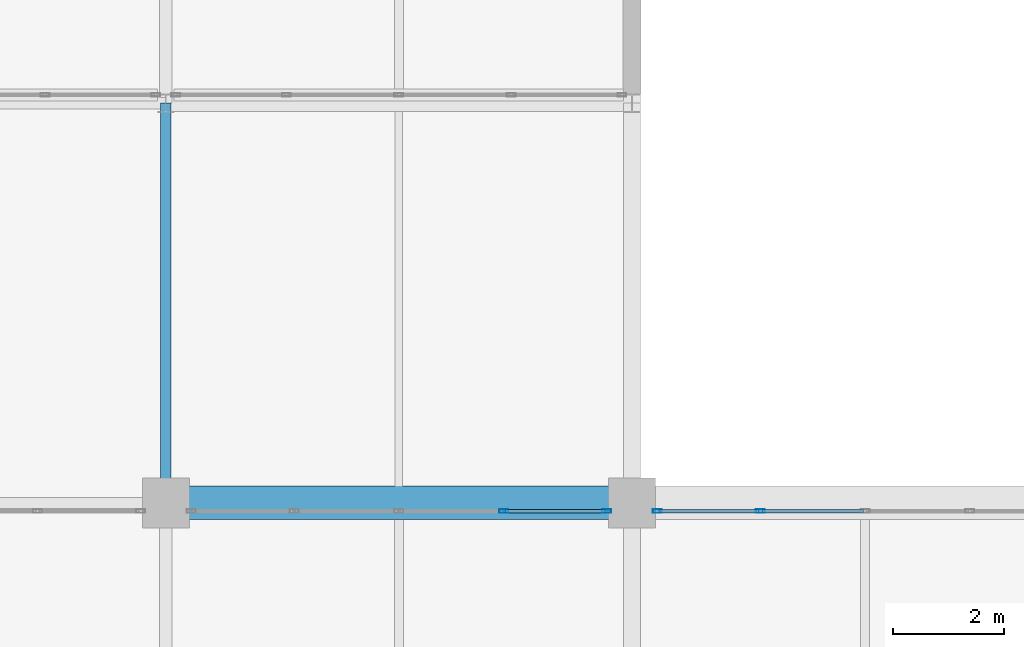
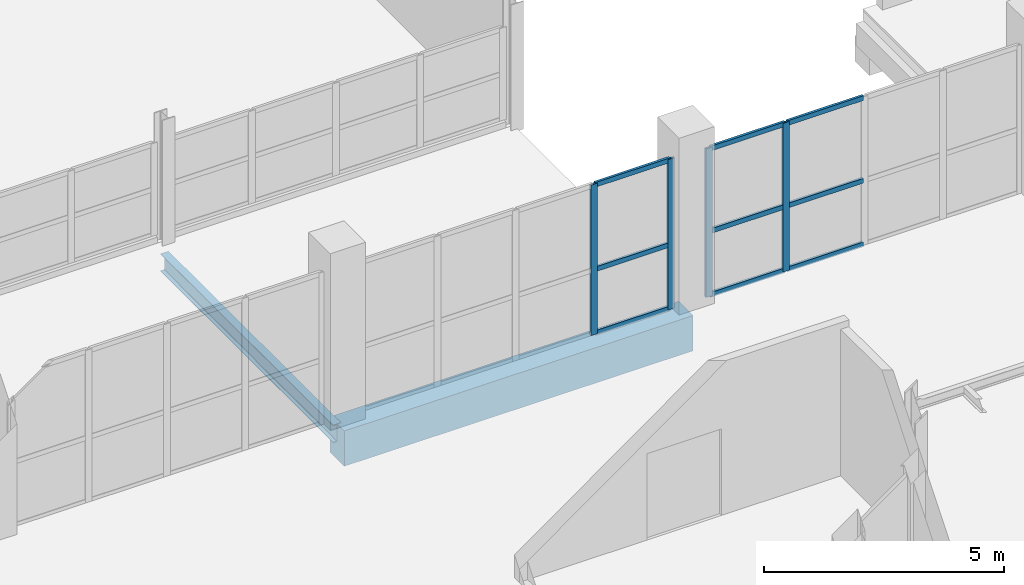
# One storey, part 41 of 103: 13 members, 2 beams, 2 elements without a shape of their own.
"""IFC4 building model written with IfcOpenShell, lengths in metres."""

from ifc_helpers import new_model, si_unit, direction, frame, origin, origin_2d, place, context, subcontext, project, spatial, rectangle, hollow_rectangle, i_section, extrude, material, material_profile, profile_set, type_object, element, aggregate, save


model = new_model("IFC4")

# Units and contexts
model_context = context("Model", 3, precision=1e-05, world=origin(), true_north=direction((0.0, 1.0)))
body_context = subcontext(model_context, "Body", "Model", "MODEL_VIEW")
ifc_project = project(units=[si_unit("LENGTHUNIT", "METRE"), si_unit("AREAUNIT", "SQUARE_METRE"), si_unit("VOLUMEUNIT", "CUBIC_METRE"), si_unit("PLANEANGLEUNIT", "RADIAN"), si_unit("MASSUNIT", "GRAM", prefix="KILO")], contexts=[model_context])

# Site, building, storey
site_placement = place(None, origin())
site = spatial("IfcSite", under=ifc_project, at=site_placement, CompositionType="ELEMENT")
building_placement = place(site_placement, origin())
building = spatial("IfcBuilding", under=site, at=building_placement, Name="Veltarok Museum of Natural Sciences", CompositionType="ELEMENT")
storey_placement = place(building_placement, frame((0.0, 0.0, 21.89990234375)))
storey = spatial("IfcBuildingStorey", under=building, at=storey_placement, Name="L04", CompositionType="ELEMENT", Elevation=21.89990234375)

# Curtain wall, members
ifc_material_1 = material(Name="Low-iron triple insulated glass", Category="glass")
curtain_wall_type_1 = type_object("IfcCurtainWallType", Name="Curtain Wall System CW-V1CN4-L04-1-755x383 (CW-V1CN4 L04 755x383cm)", PredefinedType="NOTDEFINED", material=ifc_material_1)
curtain_wall_1_placement = place(storey_placement, origin())
curtain_wall_1 = element("IfcCurtainWall", 1, at=curtain_wall_1_placement, inside=storey, type_object=curtain_wall_type_1, Name="Curtain Wall CW-V1CN4-L04-1-755x383 CW-0169", PredefinedType="NOTDEFINED")
ifc_material_2 = material(Name="Thermally broken anodised aluminium", Category="aluminium")
ifc_material_profile_1 = material_profile(ifc_material_2, hollow_rectangle(XDim=0.06005859375, YDim=0.1201171875, WallThickness=0.0048828125, at=origin_2d()), Name="CW TRANSOM 60x120x5")
ifc_profile_set_1 = profile_set([ifc_material_profile_1], Name="Thermally broken anodised aluminium")
member_type_1 = type_object("IfcMemberType", Name="Curtain Wall Horizontal Transom 60x120x5", PredefinedType="USERDEFINED", material=ifc_profile_set_1)
member_1_placement = place(storey_placement, frame((98.31494140625, 19.050048828125, 0.028076171875), z_axis=(-1.0, 0.0, 0.0), x_axis=(0.0, -1.0, 0.0)))
member_1 = element("IfcMember", 2, at=member_1_placement, type_object=member_type_1, Name="CW-V1CN4-L04-1-755x383 transom 1.1", ObjectType="TRANSOM", PredefinedType="USERDEFINED", context=body_context, shape_type="SweptSolid", body=[
    extrude(hollow_rectangle(XDim=0.06005859375, YDim=0.1201171875, WallThickness=0.0048828125, at=origin_2d()), origin(), (0.0, 0.0, 1.0), 1.79736328125),
])
member_2_placement = place(storey_placement, frame((98.31494140625, 19.050048828125, 1.648193359375), z_axis=(-1.0, 0.0, 0.0), x_axis=(0.0, -1.0, 0.0)))
member_2 = element("IfcMember", 3, at=member_2_placement, type_object=member_type_1, Name="CW-V1CN4-L04-1-755x383 transom 1.2", ObjectType="TRANSOM", PredefinedType="USERDEFINED", context=body_context, shape_type="SweptSolid", body=[
    extrude(hollow_rectangle(XDim=0.06005859375, YDim=0.1201171875, WallThickness=0.0048828125, at=origin_2d()), origin(), (0.0, 0.0, 1.0), 1.79736328125),
])
member_3_placement = place(storey_placement, frame((98.31494140625, 19.050048828125, 3.800048828125), z_axis=(-1.0, 0.0, 0.0), x_axis=(0.0, -1.0, 0.0)))
member_3 = element("IfcMember", 4, at=member_3_placement, type_object=member_type_1, Name="CW-V1CN4-L04-1-755x383 transom 1.3", ObjectType="TRANSOM", PredefinedType="USERDEFINED", context=body_context, shape_type="SweptSolid", body=[
    extrude(hollow_rectangle(XDim=0.06005859375, YDim=0.1201171875, WallThickness=0.0048828125, at=origin_2d()), origin(), (0.0, 0.0, 1.0), 1.79736328125),
])

curtain_wall_type_2 = type_object("IfcCurtainWallType", Name="Curtain Wall System CW-V1CN4-L04-2-755x378 (CW-V1CN4 L04 755x378cm)", PredefinedType="NOTDEFINED", material=ifc_material_1)
curtain_wall_2_placement = place(storey_placement, origin())
curtain_wall_2 = element("IfcCurtainWall", 5, at=curtain_wall_2_placement, inside=storey, type_object=curtain_wall_type_2, Name="Curtain Wall CW-V1CN4-L04-2-755x378 CW-0170", PredefinedType="NOTDEFINED")
member_4_placement = place(storey_placement, frame((102.969970703125, 19.050048828125, 0.028076171875), z_axis=(-1.0, 0.0, 0.0), x_axis=(0.0, -1.0, 0.0)))
member_4 = element("IfcMember", 6, at=member_4_placement, type_object=member_type_1, Name="CW-V1CN4-L04-2-755x378 transom 3.1", ObjectType="TRANSOM", PredefinedType="USERDEFINED", context=body_context, shape_type="SweptSolid", body=[
    extrude(hollow_rectangle(XDim=0.06005859375, YDim=0.1201171875, WallThickness=0.0048828125, at=origin_2d()), origin(), (0.0, 0.0, 1.0), 1.827392578125),
])
member_5_placement = place(storey_placement, frame((102.969970703125, 19.050048828125, 1.648193359375), z_axis=(-1.0, 0.0, 0.0), x_axis=(0.0, -1.0, 0.0)))
member_5 = element("IfcMember", 7, at=member_5_placement, type_object=member_type_1, Name="CW-V1CN4-L04-2-755x378 transom 3.2", ObjectType="TRANSOM", PredefinedType="USERDEFINED", context=body_context, shape_type="SweptSolid", body=[
    extrude(hollow_rectangle(XDim=0.06005859375, YDim=0.1201171875, WallThickness=0.0048828125, at=origin_2d()), origin(), (0.0, 0.0, 1.0), 1.827392578125),
])
member_6_placement = place(storey_placement, frame((102.969970703125, 19.050048828125, 3.75), z_axis=(-1.0, 0.0, 0.0), x_axis=(0.0, -1.0, 0.0)))
member_6 = element("IfcMember", 8, at=member_6_placement, type_object=member_type_1, Name="CW-V1CN4-L04-2-755x378 transom 3.3", ObjectType="TRANSOM", PredefinedType="USERDEFINED", context=body_context, shape_type="SweptSolid", body=[
    extrude(hollow_rectangle(XDim=0.06005859375, YDim=0.1201171875, WallThickness=0.0048828125, at=origin_2d()), origin(), (0.0, 0.0, 1.0), 1.827392578125),
])
member_7_placement = place(storey_placement, frame((101.08251953125, 19.050048828125, 0.028076171875), z_axis=(-1.0, 0.0, 0.0), x_axis=(0.0, -1.0, 0.0)))
member_7 = element("IfcMember", 9, at=member_7_placement, type_object=member_type_1, Name="CW-V1CN4-L04-2-755x378 transom 4.1", ObjectType="TRANSOM", PredefinedType="USERDEFINED", context=body_context, shape_type="SweptSolid", body=[
    extrude(hollow_rectangle(XDim=0.06005859375, YDim=0.1201171875, WallThickness=0.0048828125, at=origin_2d()), origin(), (0.0, 0.0, 1.0), 1.797607421875),
])
member_8_placement = place(storey_placement, frame((101.08251953125, 19.050048828125, 1.648193359375), z_axis=(-1.0, 0.0, 0.0), x_axis=(0.0, -1.0, 0.0)))
member_8 = element("IfcMember", 10, at=member_8_placement, type_object=member_type_1, Name="CW-V1CN4-L04-2-755x378 transom 4.2", ObjectType="TRANSOM", PredefinedType="USERDEFINED", context=body_context, shape_type="SweptSolid", body=[
    extrude(hollow_rectangle(XDim=0.06005859375, YDim=0.1201171875, WallThickness=0.0048828125, at=origin_2d()), origin(), (0.0, 0.0, 1.0), 1.797607421875),
])
member_9_placement = place(storey_placement, frame((101.08251953125, 19.050048828125, 3.75), z_axis=(-1.0, 0.0, 0.0), x_axis=(0.0, -1.0, 0.0)))
member_9 = element("IfcMember", 11, at=member_9_placement, type_object=member_type_1, Name="CW-V1CN4-L04-2-755x378 transom 4.3", ObjectType="TRANSOM", PredefinedType="USERDEFINED", context=body_context, shape_type="SweptSolid", body=[
    extrude(hollow_rectangle(XDim=0.06005859375, YDim=0.1201171875, WallThickness=0.0048828125, at=origin_2d()), origin(), (0.0, 0.0, 1.0), 1.797607421875),
])

# Member
ifc_material_profile_2 = material_profile(ifc_material_2, hollow_rectangle(XDim=0.06005859375, YDim=0.159912109375, WallThickness=0.0048828125, at=origin_2d()), Name="CW MULLION 60x160x5")
ifc_profile_set_2 = profile_set([ifc_material_profile_2], Name="Thermally broken anodised aluminium")
member_type_2 = type_object("IfcMemberType", Name="Curtain Wall Vertical Mullion 60x160x5", PredefinedType="MULLION", material=ifc_profile_set_2)
member_10_placement = place(storey_placement, frame((98.344970703125, 19.050048828125, -0.001953125), z_axis=(0.0, 0.0, 1.0), x_axis=(0.0, -1.0, 0.0)))
member_10 = element("IfcMember", 12, at=member_10_placement, type_object=member_type_2, Name="CW-V1CN4-L04-1-755x383 mullion 1", PredefinedType="MULLION", context=body_context, shape_type="SweptSolid", body=[
    extrude(hollow_rectangle(XDim=0.06005859375, YDim=0.159912109375, WallThickness=0.0048828125, at=origin_2d()), origin(), (0.0, 0.0, 1.0), 3.83203125),
])

member_11_placement = place(storey_placement, frame((96.487548828125, 19.050048828125, -0.001953125), z_axis=(0.0, 0.0, 1.0), x_axis=(0.0, -1.0, 0.0)))
member_11 = element("IfcMember", 13, at=member_11_placement, type_object=member_type_2, Name="CW-V1CN4-L04-1-755x383 mullion 2", PredefinedType="MULLION", context=body_context, shape_type="SweptSolid", body=[
    extrude(hollow_rectangle(XDim=0.06005859375, YDim=0.159912109375, WallThickness=0.0048828125, at=origin_2d()), origin(), (0.0, 0.0, 1.0), 3.83203125),
])

aggregate(curtain_wall_1, [member_10, member_11, member_1, member_2, member_3])

member_12_placement = place(storey_placement, frame((101.112548828125, 19.050048828125, -0.001953125), z_axis=(0.0, 0.0, 1.0), x_axis=(0.0, -1.0, 0.0)))
member_12 = element("IfcMember", 14, at=member_12_placement, type_object=member_type_2, Name="CW-V1CN4-L04-2-755x378 mullion 4", PredefinedType="MULLION", context=body_context, shape_type="SweptSolid", body=[
    extrude(hollow_rectangle(XDim=0.06005859375, YDim=0.159912109375, WallThickness=0.0048828125, at=origin_2d()), origin(), (0.0, 0.0, 1.0), 3.781982421875),
])

member_13_placement = place(storey_placement, frame((99.2548828125, 19.050048828125, -0.001953125), z_axis=(0.0, 0.0, 1.0), x_axis=(0.0, -1.0, 0.0)))
member_13 = element("IfcMember", 15, at=member_13_placement, type_object=member_type_2, Name="CW-V1CN4-L04-2-755x378 mullion 5", PredefinedType="MULLION", context=body_context, shape_type="SweptSolid", body=[
    extrude(hollow_rectangle(XDim=0.06005859375, YDim=0.159912109375, WallThickness=0.0048828125, at=origin_2d()), origin(), (0.0, 0.0, 1.0), 3.781982421875),
])

aggregate(curtain_wall_2, [member_12, member_13, member_4, member_5, member_6, member_7, member_8, member_9])

# Beams
ifc_material_3 = material(Name="Concrete C40/50", Category="concrete")
ifc_material_profile_3 = material_profile(ifc_material_3, rectangle(XDim=0.60009765625, YDim=0.89990234375, at=origin_2d()), Name="RC 600x900")
ifc_profile_set_3 = profile_set([ifc_material_profile_3], Name="Concrete C40/50")
beam_type_1 = type_object("IfcBeamType", Name="Exposed Cabinet Perimeter Spandrel RC 600x900", PredefinedType="SPANDREL", material=ifc_profile_set_3)
beam_1_placement = place(storey_placement, frame((90.39990234375, 19.199951171875, -0.699951171875), z_axis=(1.0, 0.0, 0.0), x_axis=(0.0, 1.0, 0.0)))
element("IfcBeam", 16, at=beam_1_placement, inside=storey, type_object=beam_type_1, Name="Beam BM-SP01 L04 11-12/C", PredefinedType="SPANDREL", context=body_context, shape_type="SweptSolid", body=[
    extrude(rectangle(XDim=0.60009765625, YDim=0.89990234375, at=origin_2d()), origin(), (0.0, 0.0, 1.0), 8.400146484375),
])
ifc_material_4 = material(Name="Steel S355J2", Category="steel")
ifc_material_profile_4 = material_profile(ifc_material_4, i_section(OverallWidth=0.18994140625, OverallDepth=0.449951171875, WebThickness=0.009521484375, FlangeThickness=0.0146484375, FilletRadius=0.02099609375, at=origin_2d()), Name="IPE 450")
ifc_profile_set_4 = profile_set([ifc_material_profile_4], Name="Steel S355J2")
beam_type_2 = type_object("IfcBeamType", Name="Laboratory Floor Girder IPE 450", PredefinedType="BEAM", material=ifc_profile_set_4)
beam_2_placement = place(storey_placement, frame((90.39990234375, 19.199951171875, -0.474853515625), z_axis=(0.0, 1.0, 0.0), x_axis=(-1.0, 0.0, 0.0)))
element("IfcBeam", 17, at=beam_2_placement, inside=storey, type_object=beam_type_2, Name="Beam BM-G05 L04 11/C-D", PredefinedType="BEAM", context=body_context, shape_type="SweptSolid", body=[
    extrude(i_section(OverallWidth=0.18994140625, OverallDepth=0.449951171875, WebThickness=0.009521484375, FlangeThickness=0.0146484375, FilletRadius=0.02099609375, at=origin_2d()), origin(), (0.0, 0.0, 1.0), 7.199951171875),
])

save(model, "model.ifc")
